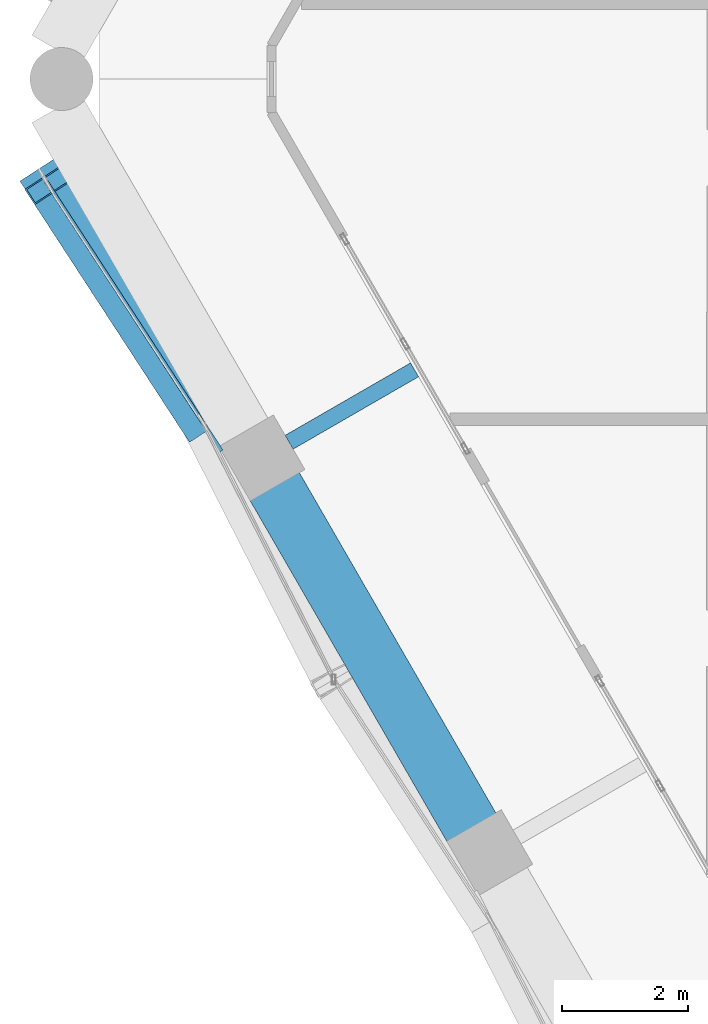
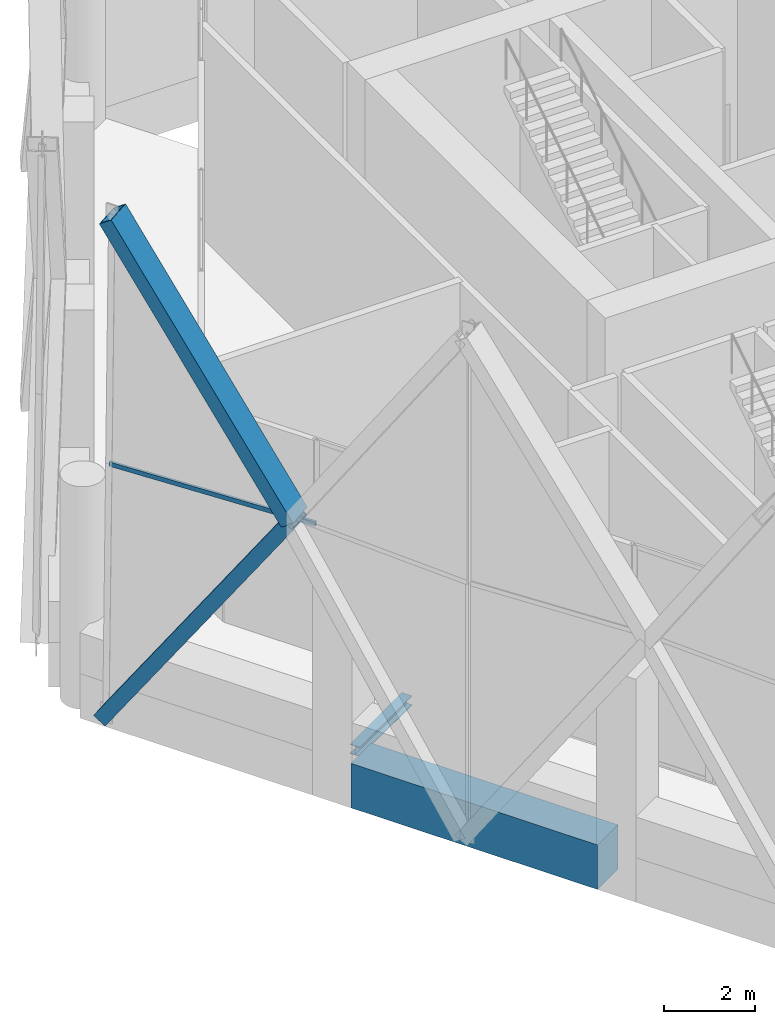
# One storey, part 6 of 43: 3 members, 2 beams, 1 element without a shape of its own.
"""IFC4 building model written with IfcOpenShell, lengths in metres."""

from ifc_helpers import new_model, si_unit, direction, frame, origin, origin_2d, place, context, subcontext, project, spatial, rectangle, hollow_rectangle, i_section, extrude, material, material_profile, profile_set, type_object, element, aggregate, save


model = new_model("IFC4")

# Units and contexts
model_context = context("Model", 3, precision=1e-05, world=origin(), true_north=direction((0.0, 1.0)))
body_context = subcontext(model_context, "Body", "Model", "MODEL_VIEW")
ifc_project = project(units=[si_unit("LENGTHUNIT", "METRE"), si_unit("AREAUNIT", "SQUARE_METRE"), si_unit("VOLUMEUNIT", "CUBIC_METRE"), si_unit("PLANEANGLEUNIT", "RADIAN"), si_unit("MASSUNIT", "GRAM", prefix="KILO")], contexts=[model_context])

# Site, building, storey
site_placement = place(None, origin())
site = spatial("IfcSite", under=ifc_project, at=site_placement, CompositionType="ELEMENT")
building_placement = place(site_placement, origin())
building = spatial("IfcBuilding", under=site, at=building_placement, Name="Ostrander Bayou Hotel Tower", CompositionType="ELEMENT")
storey_placement = place(building_placement, frame((0.0, 0.0, 151.0)))
storey = spatial("IfcBuildingStorey", under=building, at=storey_placement, Name="L37", CompositionType="ELEMENT", Elevation=151.0)

# Curtain wall, member
ifc_material_1 = material(Name="Aluminium and clear glass", Category="aluminium")
curtain_wall_type = type_object("IfcCurtainWallType", Name="CW-LAT lattice glazing", PredefinedType="NOTDEFINED", material=ifc_material_1)
curtain_wall_placement = place(storey_placement, origin())
curtain_wall = element("IfcCurtainWall", 1, at=curtain_wall_placement, inside=storey, type_object=curtain_wall_type, Name="CW-LAT L37 SW 2", PredefinedType="NOTDEFINED")
ifc_material_2 = material(Name="Aluminium", Category="aluminium")
ifc_material_profile_1 = material_profile(ifc_material_2, hollow_rectangle(XDim=0.06005859375, YDim=0.1201171875, WallThickness=0.00390625, at=origin_2d()))
ifc_profile_set_1 = profile_set([ifc_material_profile_1], Name="Aluminium")
member_type_1 = type_object("IfcMemberType", Name="CW-LA transom 60 x 120 mm", PredefinedType="USERDEFINED", material=ifc_profile_set_1)
member_1_placement = place(storey_placement, frame((-21.086669921875, -1.616943359375, 6.14990234375), z_axis=(0.545015190174, -0.838426169963, 0.0), x_axis=(0.838426169963, 0.545015190174, 0.0)))
member_1 = element("IfcMember", 2, at=member_1_placement, type_object=member_type_1, Name="CW-LAT transom 3", ObjectType="TRANSOM", PredefinedType="USERDEFINED", context=body_context, shape_type="SweptSolid", body=[
    extrude(hollow_rectangle(XDim=0.06005859375, YDim=0.1201171875, WallThickness=0.00390625, at=origin_2d()), origin(), (0.0, 0.0, 1.0), 5.11572265625),
])
aggregate(curtain_wall, [member_1])

# Beam
ifc_material_3 = material(Name="Steel ASTM A992", Category="steel")
ifc_material_profile_2 = material_profile(ifc_material_3, i_section(OverallWidth=0.25390625, OverallDepth=0.25341796875, WebThickness=0.008544921875, FlangeThickness=0.01416015625, at=origin_2d()))
ifc_profile_set_2 = profile_set([ifc_material_profile_2], Name="Steel ASTM A992")
beam_type_1 = type_object("IfcBeamType", Name="LB2 loggia bracket W10x49", PredefinedType="BEAM", material=ifc_profile_set_2)
beam_1_placement = place(storey_placement, frame((-17.224365234375, -5.7666015625, -0.4267578125), z_axis=(0.866053019151, 0.499952165731, 0.0), x_axis=(-0.499952165731, 0.866053019151, 0.0)))
element("IfcBeam", 3, at=beam_1_placement, inside=storey, type_object=beam_type_1, Name="LB2 L37 SW1", PredefinedType="BEAM", context=body_context, shape_type="SweptSolid", body=[
    extrude(i_section(OverallWidth=0.25390625, OverallDepth=0.25341796875, WebThickness=0.008544921875, FlangeThickness=0.01416015625, at=origin_2d()), origin(), (0.0, 0.0, 1.0), 2.300048828125),
])

# Members
ifc_material_4 = material(Name="Steel ASTM A572 Gr 50", Category="steel")
ifc_material_profile_3 = material_profile(ifc_material_4, hollow_rectangle(XDim=0.699951171875, YDim=0.35009765625, WallThickness=0.02490234375, at=origin_2d()))
ifc_profile_set_3 = profile_set([ifc_material_profile_3], Name="Steel ASTM A572 Gr 50")
member_type_2 = type_object("IfcMemberType", Name="LT1 lattice member box 700 x 350 x 25 mm", PredefinedType="BRACE", material=ifc_profile_set_3)
member_2_placement = place(storey_placement, frame((-18.591552734375, -5.455078125, 6.14990234375), z_axis=(-0.308952127368, 0.476128729107, -0.823316473972), x_axis=(-0.838871288414, -0.544329827838, 0.0)))
element("IfcMember", 4, at=member_2_placement, inside=storey, type_object=member_type_2, Name="LT1 L37 SW 1", PredefinedType="BRACE", context=body_context, shape_type="SweptSolid", body=[
    extrude(hollow_rectangle(XDim=0.699951171875, YDim=0.35009765625, WallThickness=0.02490234375, at=origin_2d()), origin(), (0.0, 0.0, 1.0), 8.198486328125),
])
member_3_placement = place(storey_placement, frame((-18.591552734375, -5.455078125, 6.14990234375), z_axis=(-0.30285077548, 0.464972978986, 0.831914380573), x_axis=(-0.837934071983, -0.545771464085, 0.0)))
element("IfcMember", 5, at=member_3_placement, inside=storey, type_object=member_type_2, Name="LT1 L37 SW 2", PredefinedType="BRACE", context=body_context, shape_type="SweptSolid", body=[
    extrude(hollow_rectangle(XDim=0.699951171875, YDim=0.35009765625, WallThickness=0.02490234375, at=origin_2d()), origin(), (0.0, 0.0, 1.0), 8.11376953125),
])

# Beam
ifc_material_5 = material(Name="Concrete f'c 60 MPa", Category="concrete")
ifc_material_profile_4 = material_profile(ifc_material_5, rectangle(XDim=0.89990234375, YDim=1.199951171875, at=origin_2d()))
ifc_profile_set_4 = profile_set([ifc_material_profile_4], Name="Concrete f'c 60 MPa")
beam_type_2 = type_object("IfcBeamType", Name="SP3 spandrel beam 900 x 1200 mm f'c 60 MPa", PredefinedType="SPANDREL", material=ifc_profile_set_4)
beam_2_placement = place(storey_placement, frame((-17.465576171875, -6.44873046875, -0.60009765625), z_axis=(0.500013351051, -0.866017695414, 0.0), x_axis=(0.866017695414, 0.500013351051, 0.0)))
element("IfcBeam", 6, at=beam_2_placement, inside=storey, type_object=beam_type_2, Name="SP3 L37 SW-2", PredefinedType="SPANDREL", context=body_context, shape_type="SweptSolid", body=[
    extrude(rectangle(XDim=0.89990234375, YDim=1.199951171875, at=origin_2d()), origin(), (0.0, 0.0, 1.0), 6.296142578125),
])

save(model, "model.ifc")
